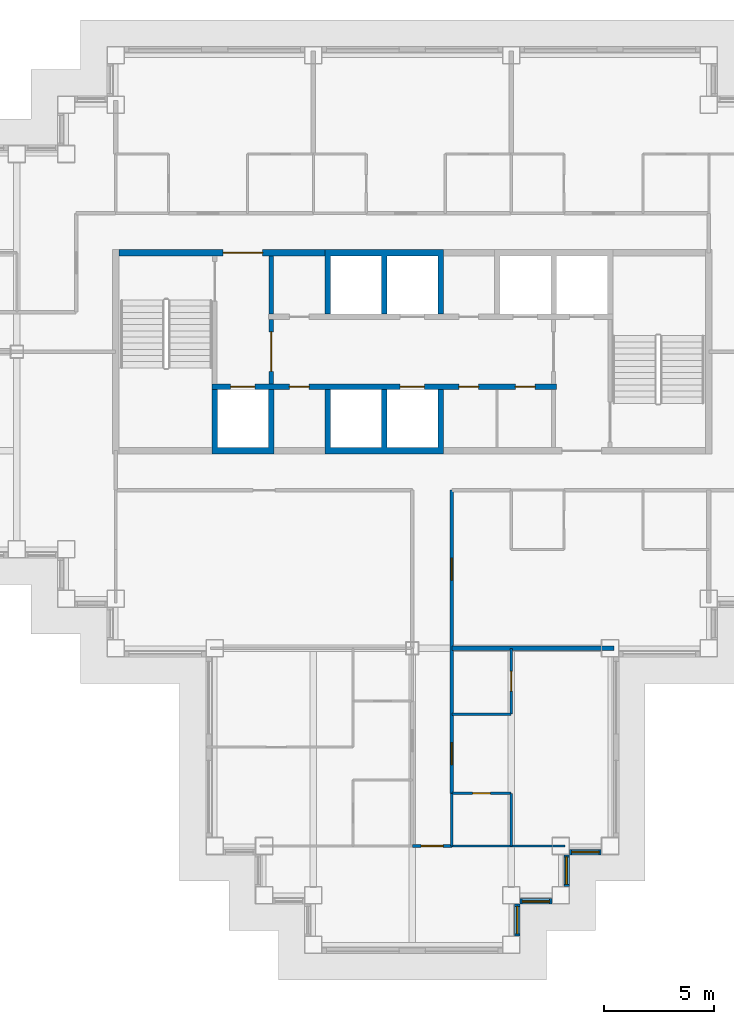
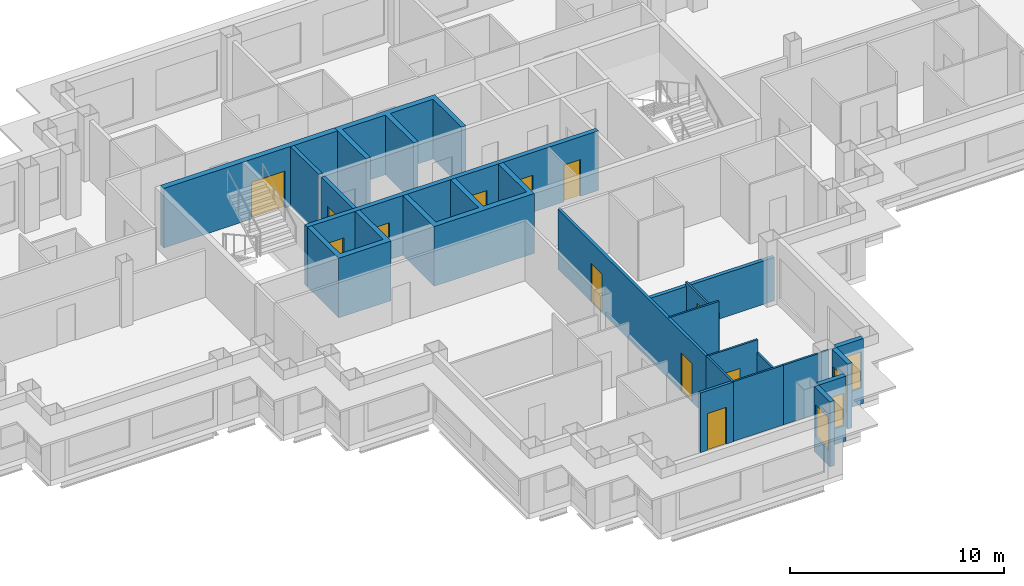
# One storey, part 5 of 13: 21 walls, 12 doors, 4 windows, 16 openings.
"""IFC4 building model written with IfcOpenShell, lengths in metres."""

from ifc_helpers import new_model, si_unit, direction, frame, frame_2d, origin, place, context, subcontext, project, spatial, polyline, rectangle, outline, extrude, material, layer, layer_set, type_object, element, fill, save


model = new_model("IFC4")

# Units and contexts
model_context = context("Model", 3, precision=1e-05, world=origin(), true_north=direction((0.0, 1.0)))
body_context = subcontext(model_context, "Body", "Model", "MODEL_VIEW")
ifc_project = project(units=[si_unit("LENGTHUNIT", "METRE"), si_unit("AREAUNIT", "SQUARE_METRE"), si_unit("VOLUMEUNIT", "CUBIC_METRE"), si_unit("PLANEANGLEUNIT", "RADIAN"), si_unit("MASSUNIT", "GRAM", prefix="KILO")], contexts=[model_context])

# Site, building, storey
site_placement = place(None, origin())
site = spatial("IfcSite", under=ifc_project, at=site_placement, CompositionType="ELEMENT")
building_placement = place(site_placement, origin())
building = spatial("IfcBuilding", under=site, at=building_placement, Name="Caravel Reach Hotel and Residences", CompositionType="ELEMENT")
storey_placement = place(building_placement, frame((0.0, 0.0, 158.0)))
storey = spatial("IfcBuildingStorey", under=building, at=storey_placement, Name="L39", CompositionType="ELEMENT", Elevation=158.0)

# Wall
ifc_material_1 = material(Name="Gypsum board on steel stud", Category="steel")
ifc_layer_1 = layer(ifc_material_1, 0.10009765625)
ifc_layer_set_1 = layer_set([ifc_layer_1], Name="Bathroom pod wall 100 mm")
wall_type_1 = type_object("IfcWallType", Name="Bathroom pod wall 100 mm", PredefinedType="PARTITIONING", material=ifc_layer_set_1)
wall_1_placement = place(storey_placement, frame((33.300048828125, 4.5, 0.0), z_axis=(0.0, 0.0, 1.0), x_axis=(1.0, 0.0, 0.0)))
element("IfcWall", 1, at=wall_1_placement, inside=storey, type_object=wall_type_1, Name="L39 wall w095", PredefinedType="PARTITIONING", context=body_context, shape_type="SweptSolid", body=[
    extrude(rectangle(XDim=2.699951171875, YDim=0.10009765625, at=frame_2d((1.35009765625, 0.0))), origin(), (0.0, 0.0, 1.0), 3.39990234375),
])

# Wall, opening, door
wall_2_placement = place(storey_placement, frame((33.300048828125, 6.89990234375, 0.0), z_axis=(0.0, 0.0, 1.0), x_axis=(1.0, 0.0, 0.0)))
wall_2 = element("IfcWall", 2, at=wall_2_placement, inside=storey, type_object=wall_type_1, Name="L39 wall w096", PredefinedType="PARTITIONING", context=body_context, shape_type="SweptSolid", body=[
    extrude(rectangle(XDim=2.699951171875, YDim=0.10009765625, at=frame_2d((1.35009765625, 0.0))), origin(), (0.0, 0.0, 1.0), 3.39990234375),
])
opening_1_placement = place(wall_2_placement, frame((0.949951171875, 0.0, 0.0)))
opening_1 = element("IfcOpeningElement", 3, at=opening_1_placement, cuts=wall_2, Name="Opening D39-044", PredefinedType="OPENING", context=body_context, shape_type="SweptSolid", body=[
    extrude(rectangle(XDim=0.800048828125, YDim=2.10009765625, at=frame_2d((0.39990234375, 1.050048828125))), frame((0.0, 0.06005859375, 0.0), z_axis=(0.0, -1.0, 0.0), x_axis=(1.0, 0.0, 0.0)), (0.0, 0.0, 1.0), 0.1201171875),
])
ifc_material_2 = material(Name="Timber and steel door leaf", Category="steel")
door_type_1 = type_object("IfcDoorType", Name="Bathroom door 800 x 2100", OperationType="SINGLE_SWING_LEFT", PredefinedType="DOOR", material=ifc_material_2)
door_1_placement = place(opening_1_placement, origin())
door_1 = element("IfcDoor", 4, at=door_1_placement, inside=storey, type_object=door_type_1, Name="door D39-044", OperationType="SINGLE_SWING_LEFT", OverallHeight=2.10009765625, OverallWidth=0.800048828125, PredefinedType="DOOR", context=body_context, shape_type="SweptSolid", body=[
    extrude(rectangle(XDim=0.800048828125, YDim=2.10009765625, at=frame_2d((0.39990234375, 1.050048828125))), frame((0.0, 0.02490234375, 0.0), z_axis=(0.0, -1.0, 0.0), x_axis=(1.0, 0.0, 0.0)), (0.0, 0.0, 1.0), 0.050048828125),
])
fill(opening_1, door_1)

# Walls
wall_3_placement = place(storey_placement, frame((33.300048828125, 4.5, 0.0), z_axis=(0.0, 0.0, 1.0), x_axis=(0.0, 1.0, 0.0)))
element("IfcWall", 5, at=wall_3_placement, inside=storey, type_object=wall_type_1, Name="L39 wall w104", PredefinedType="PARTITIONING", context=body_context, shape_type="SweptSolid", body=[
    extrude(rectangle(XDim=2.39990234375, YDim=0.10009765625, at=frame_2d((1.199951171875, 0.0))), origin(), (0.0, 0.0, 1.0), 3.39990234375),
])
wall_4_placement = place(storey_placement, frame((36.0, 4.5, 0.0), z_axis=(0.0, 0.0, 1.0), x_axis=(0.0, 1.0, 0.0)))
element("IfcWall", 6, at=wall_4_placement, inside=storey, type_object=wall_type_1, Name="L39 wall w106", PredefinedType="PARTITIONING", context=body_context, shape_type="SweptSolid", body=[
    extrude(rectangle(XDim=2.39990234375, YDim=0.10009765625, at=frame_2d((1.199951171875, 0.0))), origin(), (0.0, 0.0, 1.0), 2.679931640625),
])
ifc_material_3 = material(Name="Autoclaved aerated block wall")
ifc_layer_2 = layer(ifc_material_3, 0.199951171875)
ifc_layer_set_2 = layer_set([ifc_layer_2], Name="Compartment wall 200 mm EI 120")
wall_type_2 = type_object("IfcWallType", Name="Compartment wall 200 mm EI 120", PredefinedType="PARTITIONING", material=ifc_layer_set_2)
wall_5_placement = place(storey_placement, frame((25.071533203125, 28.72509765625, 0.0), z_axis=(0.0, 0.0, 1.0), x_axis=(0.0, 1.0, 0.0)))
element("IfcWall", 7, at=wall_5_placement, inside=storey, type_object=wall_type_2, Name="L39 store partition", PredefinedType="PARTITIONING", context=body_context, shape_type="SweptSolid", body=[
    extrude(rectangle(XDim=2.625, YDim=0.199951171875, at=frame_2d((1.3125, 0.0))), origin(), (0.0, 0.0, 1.0), 3.39990234375),
])

# Wall, opening, door
ifc_material_4 = material(Name="Concrete C60", Category="concrete")
ifc_layer_3 = layer(ifc_material_4, 0.300048828125)
ifc_layer_set_3 = layer_set([ifc_layer_3], Name="Core wall 300 mm EI 120")
wall_type_3 = type_object("IfcWallType", Name="Core wall 300 mm EI 120", PredefinedType="SHEAR", material=ifc_layer_set_3)
wall_6_placement = place(storey_placement, frame((18.14990234375, 31.5, 0.0), z_axis=(0.0, 0.0, 1.0), x_axis=(1.0, 0.0, 0.0)))
wall_6 = element("IfcWall", 8, at=wall_6_placement, inside=storey, type_object=wall_type_3, Name="L39 core wall N1", PredefinedType="SHEAR", context=body_context, shape_type="SweptSolid", body=[
    extrude(rectangle(XDim=9.367919921875, YDim=0.300048828125, at=frame_2d((4.68408203125, 0.0))), origin(), (0.0, 0.0, 1.0), 3.39990234375),
])
opening_2_placement = place(wall_6_placement, frame((4.735595703125, 0.0, 0.0)))
opening_2 = element("IfcOpeningElement", 9, at=opening_2_placement, cuts=wall_6, Name="Opening D39-015", PredefinedType="OPENING", context=body_context, shape_type="SweptSolid", body=[
    extrude(rectangle(XDim=1.800048828125, YDim=2.10009765625, at=frame_2d((0.89990234375, 1.050048828125))), frame((0.0, 0.159912109375, 0.0), z_axis=(0.0, -1.0, 0.0), x_axis=(1.0, 0.0, 0.0)), (0.0, 0.0, 1.0), 0.320068359375),
])
ifc_material_5 = material(Name="Steel fire door leaf", Category="steel")
door_type_2 = type_object("IfcDoorType", Name="Fire lobby door pair 1800 x 2100 EI 90", OperationType="DOUBLE_DOOR_SINGLE_SWING", PredefinedType="DOOR", material=ifc_material_5)
door_2_placement = place(opening_2_placement, origin())
door_2 = element("IfcDoor", 10, at=door_2_placement, inside=storey, type_object=door_type_2, Name="lobby N door pair to corridor", OperationType="DOUBLE_DOOR_SINGLE_SWING", OverallHeight=2.10009765625, OverallWidth=1.800048828125, PredefinedType="DOOR", context=body_context, shape_type="SweptSolid", body=[
    extrude(rectangle(XDim=1.800048828125, YDim=2.10009765625, at=frame_2d((0.89990234375, 1.050048828125))), frame((0.0, 0.02490234375, 0.0), z_axis=(0.0, -1.0, 0.0), x_axis=(1.0, 0.0, 0.0)), (0.0, 0.0, 1.0), 0.050048828125),
])
fill(opening_2, door_2)

ifc_material_6 = material(Name="Gypsum board on steel stud, fire-rated", Category="steel")
ifc_layer_4 = layer(ifc_material_6, 0.14990234375)
ifc_layer_set_4 = layer_set([ifc_layer_4], Name="Corridor wall 150 mm EI 60")
wall_type_4 = type_object("IfcWallType", Name="Corridor wall 150 mm EI 60", PredefinedType="PARTITIONING", material=ifc_layer_set_4)
wall_7_placement = place(storey_placement, frame((31.5, 4.5, 0.0), z_axis=(0.0, 0.0, 1.0), x_axis=(1.0, 0.0, 0.0)))
wall_7 = element("IfcWall", 11, at=wall_7_placement, inside=storey, type_object=wall_type_4, Name="L39 wall w021", PredefinedType="PARTITIONING", context=body_context, shape_type="SweptSolid", body=[
    extrude(rectangle(XDim=1.800048828125, YDim=0.14990234375, at=frame_2d((0.89990234375, 0.0))), origin(), (0.0, 0.0, 1.0), 3.39990234375),
])
opening_3_placement = place(wall_7_placement, frame((0.39990234375, 0.0, 0.0)))
opening_3 = element("IfcOpeningElement", 12, at=opening_3_placement, cuts=wall_7, Name="Opening D39-050", PredefinedType="OPENING", context=body_context, shape_type="SweptSolid", body=[
    extrude(rectangle(XDim=1.0, YDim=2.10009765625, at=frame_2d((0.5, 1.050048828125))), frame((0.0, 0.0849609375, 0.0), z_axis=(0.0, -1.0, 0.0), x_axis=(1.0, 0.0, 0.0)), (0.0, 0.0, 1.0), 0.169921875),
])
ifc_material_7 = material(Name="Steel fire door leaf", Category="steel")
door_type_3 = type_object("IfcDoorType", Name="Fire door 1000 x 2100 EI 60", OperationType="SINGLE_SWING_LEFT", PredefinedType="DOOR", material=ifc_material_7)
door_3_placement = place(opening_3_placement, origin())
door_3 = element("IfcDoor", 13, at=door_3_placement, inside=storey, type_object=door_type_3, Name="door D39-050", OperationType="SINGLE_SWING_LEFT", OverallHeight=2.10009765625, OverallWidth=1.0, PredefinedType="DOOR", context=body_context, shape_type="SweptSolid", body=[
    extrude(rectangle(XDim=1.0, YDim=2.10009765625, at=frame_2d((0.5, 1.050048828125))), frame((0.0, 0.02490234375, 0.0), z_axis=(0.0, -1.0, 0.0), x_axis=(1.0, 0.0, 0.0)), (0.0, 0.0, 1.0), 0.050048828125),
])
fill(opening_3, door_3)

# Wall, openings, doors
wall_8_placement = place(storey_placement, frame((33.300048828125, 6.89990234375, 0.0), z_axis=(0.0, 0.0, 1.0), x_axis=(0.0, 1.0, 0.0)))
wall_8 = element("IfcWall", 14, at=wall_8_placement, inside=storey, type_object=wall_type_4, Name="L39 wall w027", PredefinedType="PARTITIONING", context=body_context, shape_type="SweptSolid", body=[
    extrude(rectangle(XDim=13.799072265625, YDim=0.14990234375, at=frame_2d((6.8994140625, 0.0))), origin(), (0.0, 0.0, 1.0), 3.39990234375),
])
opening_4_placement = place(wall_8_placement, frame((9.69921875, 0.0, 0.0)))
opening_4 = element("IfcOpeningElement", 15, at=opening_4_placement, cuts=wall_8, Name="Opening D39-036", PredefinedType="OPENING", context=body_context, shape_type="SweptSolid", body=[
    extrude(rectangle(XDim=1.0, YDim=2.199951171875, at=frame_2d((0.5, 1.10009765625))), frame((0.0, 0.0849609375, 0.0), z_axis=(0.0, -1.0, 0.0), x_axis=(1.0, 0.0, 0.0)), (0.0, 0.0, 1.0), 0.169921875),
])
opening_5_placement = place(wall_8_placement, frame((1.300048828125, 0.0, 0.0)))
opening_5 = element("IfcOpeningElement", 16, at=opening_5_placement, cuts=wall_8, Name="Opening D39-043", PredefinedType="OPENING", context=body_context, shape_type="SweptSolid", body=[
    extrude(rectangle(XDim=1.0, YDim=2.199951171875, at=frame_2d((0.5, 1.10009765625))), frame((0.0, 0.0849609375, 0.0), z_axis=(0.0, -1.0, 0.0), x_axis=(1.0, 0.0, 0.0)), (0.0, 0.0, 1.0), 0.169921875),
])
ifc_material_8 = material(Name="Steel fire door leaf", Category="steel")
door_type_4 = type_object("IfcDoorType", Name="Flat entrance door 1000 x 2200 EI 60", OperationType="SINGLE_SWING_LEFT", PredefinedType="DOOR", material=ifc_material_8)
door_4_placement = place(opening_4_placement, origin())
door_4 = element("IfcDoor", 17, at=door_4_placement, inside=storey, type_object=door_type_4, Name="door D39-036", OperationType="SINGLE_SWING_RIGHT", OverallHeight=2.199951171875, OverallWidth=1.0, PredefinedType="DOOR", context=body_context, shape_type="SweptSolid", body=[
    extrude(rectangle(XDim=1.0, YDim=2.199951171875, at=frame_2d((0.5, 1.10009765625))), frame((0.0, 0.02490234375, 0.0), z_axis=(0.0, -1.0, 0.0), x_axis=(1.0, 0.0, 0.0)), (0.0, 0.0, 1.0), 0.050048828125),
])
fill(opening_4, door_4)
door_5_placement = place(opening_5_placement, origin())
door_5 = element("IfcDoor", 18, at=door_5_placement, inside=storey, type_object=door_type_4, Name="door D39-043", OperationType="SINGLE_SWING_LEFT", OverallHeight=2.199951171875, OverallWidth=1.0, PredefinedType="DOOR", context=body_context, shape_type="SweptSolid", body=[
    extrude(rectangle(XDim=1.0, YDim=2.199951171875, at=frame_2d((0.5, 1.10009765625))), frame((0.0, 0.02490234375, 0.0), z_axis=(0.0, -1.0, 0.0), x_axis=(1.0, 0.0, 0.0)), (0.0, 0.0, 1.0), 0.050048828125),
])
fill(opening_5, door_5)

# Wall, opening, window
ifc_material_9 = material(Name="Insulated rainscreen wall, aluminium cladding", Category="aluminium")
ifc_layer_5 = layer(ifc_material_9, 0.25)
ifc_layer_set_5 = layer_set([ifc_layer_5], Name="EW1 Tower rainscreen wall")
wall_type_5 = type_object("IfcWallType", Name="EW1 Tower rainscreen wall", PredefinedType="SOLIDWALL", material=ifc_layer_set_5)
wall_9_placement = place(storey_placement, frame((36.27490234375, 0.39990234375, 0.0), z_axis=(0.0, 0.0, 1.0), x_axis=(0.0, 1.0, 0.0)))
wall_9 = element("IfcWall", 19, at=wall_9_placement, inside=storey, type_object=wall_type_5, Name="External wall L39 E6.1", PredefinedType="SOLIDWALL", context=body_context, shape_type="SweptSolid", body=[
    extrude(rectangle(XDim=1.4501953125, YDim=0.25, at=frame_2d((0.72509765625, 0.0))), origin(), (0.0, 0.0, 1.0), 3.699951171875),
])
opening_6_placement = place(wall_9_placement, frame((0.10009765625, 0.0, 0.89990234375)))
opening_6 = element("IfcOpeningElement", 20, at=opening_6_placement, cuts=wall_9, Name="Opening WN13", PredefinedType="OPENING", context=body_context, shape_type="SweptSolid", body=[
    extrude(rectangle(XDim=1.25, YDim=1.85009765625, at=frame_2d((0.625, 0.925048828125))), frame((0.0, 0.135009765625, 0.0), z_axis=(0.0, -1.0, 0.0), x_axis=(1.0, 0.0, 0.0)), (0.0, 0.0, 1.0), 0.27001953125),
])
ifc_material_10 = material(Name="Dark low-e glazing in black aluminium frame", Category="aluminium")
window_type_1 = type_object("IfcWindowType", Name="Residence bedroom window 1250 x 1850", PartitioningType="SINGLE_PANEL", PredefinedType="WINDOW", material=ifc_material_10)
window_1_placement = place(opening_6_placement, origin())
window_1 = element("IfcWindow", 21, at=window_1_placement, inside=storey, type_object=window_type_1, Name="Window L39 E6.1.1", OverallHeight=1.85009765625, OverallWidth=1.25, PartitioningType="SINGLE_PANEL", PredefinedType="WINDOW", context=body_context, shape_type="SweptSolid", body=[
    extrude(rectangle(XDim=1.25, YDim=1.85009765625, at=frame_2d((0.625, 0.925048828125))), frame((0.0, 0.030029296875, 0.0), z_axis=(0.0, -1.0, 0.0), x_axis=(1.0, 0.0, 0.0)), (0.0, 0.0, 1.0), 0.06005859375),
])
fill(opening_6, window_1)

wall_10_placement = place(storey_placement, frame((36.39990234375, 1.97509765625, 0.0), z_axis=(0.0, 0.0, 1.0), x_axis=(1.0, 0.0, 0.0)))
wall_10 = element("IfcWall", 22, at=wall_10_placement, inside=storey, type_object=wall_type_5, Name="External wall L39 S7.1", PredefinedType="SOLIDWALL", context=body_context, shape_type="SweptSolid", body=[
    extrude(rectangle(XDim=1.4501953125, YDim=0.25, at=frame_2d((0.72509765625, 0.0))), origin(), (0.0, 0.0, 1.0), 3.699951171875),
])
opening_7_placement = place(wall_10_placement, frame((0.10009765625, 0.0, 0.89990234375)))
opening_7 = element("IfcOpeningElement", 23, at=opening_7_placement, cuts=wall_10, Name="Opening WN13", PredefinedType="OPENING", context=body_context, shape_type="SweptSolid", body=[
    extrude(rectangle(XDim=1.25, YDim=1.85009765625, at=frame_2d((0.625, 0.925048828125))), frame((0.0, 0.135009765625, 0.0), z_axis=(0.0, -1.0, 0.0), x_axis=(1.0, 0.0, 0.0)), (0.0, 0.0, 1.0), 0.27001953125),
])
window_2_placement = place(opening_7_placement, origin())
window_2 = element("IfcWindow", 24, at=window_2_placement, inside=storey, type_object=window_type_1, Name="Window L39 S7.1.1", OverallHeight=1.85009765625, OverallWidth=1.25, PartitioningType="SINGLE_PANEL", PredefinedType="WINDOW", context=body_context, shape_type="SweptSolid", body=[
    extrude(rectangle(XDim=1.25, YDim=1.85009765625, at=frame_2d((0.625, 0.925048828125))), frame((0.0, 0.030029296875, 0.0), z_axis=(0.0, -1.0, 0.0), x_axis=(1.0, 0.0, 0.0)), (0.0, 0.0, 1.0), 0.06005859375),
])
fill(opening_7, window_2)

wall_11_placement = place(storey_placement, frame((38.52490234375, 2.64990234375, 0.0), z_axis=(0.0, 0.0, 1.0), x_axis=(0.0, 1.0, 0.0)))
wall_11 = element("IfcWall", 25, at=wall_11_placement, inside=storey, type_object=wall_type_5, Name="External wall L39 E8.1", PredefinedType="SOLIDWALL", context=body_context, shape_type="SweptSolid", body=[
    extrude(rectangle(XDim=1.4501953125, YDim=0.25, at=frame_2d((0.72509765625, 0.0))), origin(), (0.0, 0.0, 1.0), 3.699951171875),
])
opening_8_placement = place(wall_11_placement, frame((0.10009765625, 0.0, 0.89990234375)))
opening_8 = element("IfcOpeningElement", 26, at=opening_8_placement, cuts=wall_11, Name="Opening WN13", PredefinedType="OPENING", context=body_context, shape_type="SweptSolid", body=[
    extrude(rectangle(XDim=1.25, YDim=1.85009765625, at=frame_2d((0.625, 0.925048828125))), frame((0.0, 0.135009765625, 0.0), z_axis=(0.0, -1.0, 0.0), x_axis=(1.0, 0.0, 0.0)), (0.0, 0.0, 1.0), 0.27001953125),
])
window_3_placement = place(opening_8_placement, origin())
window_3 = element("IfcWindow", 27, at=window_3_placement, inside=storey, type_object=window_type_1, Name="Window L39 E8.1.1", OverallHeight=1.85009765625, OverallWidth=1.25, PartitioningType="SINGLE_PANEL", PredefinedType="WINDOW", context=body_context, shape_type="SweptSolid", body=[
    extrude(rectangle(XDim=1.25, YDim=1.85009765625, at=frame_2d((0.625, 0.925048828125))), frame((0.0, 0.030029296875, 0.0), z_axis=(0.0, -1.0, 0.0), x_axis=(1.0, 0.0, 0.0)), (0.0, 0.0, 1.0), 0.06005859375),
])
fill(opening_8, window_3)

wall_12_placement = place(storey_placement, frame((38.64990234375, 4.22509765625, 0.0), z_axis=(0.0, 0.0, 1.0), x_axis=(1.0, 0.0, 0.0)))
wall_12 = element("IfcWall", 28, at=wall_12_placement, inside=storey, type_object=wall_type_5, Name="External wall L39 S9.1", PredefinedType="SOLIDWALL", context=body_context, shape_type="SweptSolid", body=[
    extrude(rectangle(XDim=1.4501953125, YDim=0.25, at=frame_2d((0.72509765625, 0.0))), origin(), (0.0, 0.0, 1.0), 3.699951171875),
])
opening_9_placement = place(wall_12_placement, frame((0.10009765625, 0.0, 0.89990234375)))
opening_9 = element("IfcOpeningElement", 29, at=opening_9_placement, cuts=wall_12, Name="Opening WN12", PredefinedType="OPENING", context=body_context, shape_type="SweptSolid", body=[
    extrude(rectangle(XDim=1.25, YDim=2.080078125, at=frame_2d((0.625, 1.0400390625))), frame((0.0, 0.135009765625, 0.0), z_axis=(0.0, -1.0, 0.0), x_axis=(1.0, 0.0, 0.0)), (0.0, 0.0, 1.0), 0.27001953125),
])
ifc_material_11 = material(Name="Dark low-e glazing in black aluminium frame", Category="aluminium")
window_type_2 = type_object("IfcWindowType", Name="Residence bedroom window 1250 x 2080", PartitioningType="SINGLE_PANEL", PredefinedType="WINDOW", material=ifc_material_11)
window_4_placement = place(opening_9_placement, origin())
window_4 = element("IfcWindow", 30, at=window_4_placement, inside=storey, type_object=window_type_2, Name="Window L39 S9.1.1", OverallHeight=2.080078125, OverallWidth=1.25, PartitioningType="SINGLE_PANEL", PredefinedType="WINDOW", context=body_context, shape_type="SweptSolid", body=[
    extrude(rectangle(XDim=1.25, YDim=2.080078125, at=frame_2d((0.625, 1.0400390625))), frame((0.0, 0.030029296875, 0.0), z_axis=(0.0, -1.0, 0.0), x_axis=(1.0, 0.0, 0.0)), (0.0, 0.0, 1.0), 0.06005859375),
])
fill(opening_9, window_4)

# Wall, opening, door
ifc_material_12 = material(Name="Autoclaved aerated block wall")
ifc_layer_6 = layer(ifc_material_12, 0.199951171875)
ifc_layer_set_6 = layer_set([ifc_layer_6], Name="Fire lobby wall 200 mm EI 120")
wall_type_6 = type_object("IfcWallType", Name="Fire lobby wall 200 mm EI 120", PredefinedType="PARTITIONING", material=ifc_layer_set_6)
wall_13_placement = place(storey_placement, frame((25.071533203125, 25.52490234375, 0.0), z_axis=(0.0, 0.0, 1.0), x_axis=(0.0, 1.0, 0.0)))
wall_13 = element("IfcWall", 31, at=wall_13_placement, inside=storey, type_object=wall_type_6, Name="L39 lobby W wall", PredefinedType="PARTITIONING", context=body_context, shape_type="SweptSolid", body=[
    extrude(rectangle(XDim=2.9501953125, YDim=0.199951171875, at=frame_2d((1.47509765625, 0.0))), origin(), (0.0, 0.0, 1.0), 3.39990234375),
])
opening_10_placement = place(wall_13_placement, frame((0.574951171875, 0.0, 0.0)))
opening_10 = element("IfcOpeningElement", 32, at=opening_10_placement, cuts=wall_13, Name="Opening D39-013", PredefinedType="OPENING", context=body_context, shape_type="SweptSolid", body=[
    extrude(rectangle(XDim=1.800048828125, YDim=2.10009765625, at=frame_2d((0.89990234375, 1.050048828125))), frame((0.0, 0.10986328125, 0.0), z_axis=(0.0, -1.0, 0.0), x_axis=(1.0, 0.0, 0.0)), (0.0, 0.0, 1.0), 0.219970703125),
])
door_6_placement = place(opening_10_placement, origin())
door_6 = element("IfcDoor", 33, at=door_6_placement, inside=storey, type_object=door_type_2, Name="lobby W door pair", OperationType="DOUBLE_DOOR_SINGLE_SWING", OverallHeight=2.10009765625, OverallWidth=1.800048828125, PredefinedType="DOOR", context=body_context, shape_type="SweptSolid", body=[
    extrude(rectangle(XDim=1.800048828125, YDim=2.10009765625, at=frame_2d((0.89990234375, 1.050048828125))), frame((0.0, 0.02490234375, 0.0), z_axis=(0.0, -1.0, 0.0), x_axis=(1.0, 0.0, 0.0)), (0.0, 0.0, 1.0), 0.050048828125),
])
fill(opening_10, door_6)

# Walls
ifc_material_13 = material(Name="Gypsum board on steel stud", Category="steel")
ifc_layer_7 = layer(ifc_material_13, 0.10009765625)
ifc_layer_set_7 = layer_set([ifc_layer_7], Name="Partition 100 mm")
wall_type_7 = type_object("IfcWallType", Name="Partition 100 mm", PredefinedType="PARTITIONING", material=ifc_layer_set_7)
wall_14_placement = place(storey_placement, frame((33.300048828125, 10.5, 0.0), z_axis=(0.0, 0.0, 1.0), x_axis=(1.0, 0.0, 0.0)))
element("IfcWall", 34, at=wall_14_placement, inside=storey, type_object=wall_type_7, Name="L39 wall w034", PredefinedType="PARTITIONING", context=body_context, shape_type="SweptSolid", body=[
    extrude(rectangle(XDim=2.699951171875, YDim=0.10009765625, at=frame_2d((1.35009765625, 0.0))), origin(), (0.0, 0.0, 1.0), 3.39990234375),
])
wall_15_placement = place(storey_placement, frame((36.0, 4.5, 0.0), z_axis=(0.0, 0.0, 1.0), x_axis=(1.0, 0.0, 0.0)))
element("IfcWall", 35, at=wall_15_placement, inside=storey, type_object=wall_type_7, Name="L39 wall w048", PredefinedType="PARTITIONING", context=body_context, shape_type="SweptSolid", body=[
    extrude(rectangle(XDim=2.43994140625, YDim=0.10009765625, at=frame_2d((1.219970703125, 0.0))), origin(), (0.0, 0.0, 1.0), 3.39990234375),
])

# Wall, opening, door
wall_16_placement = place(storey_placement, frame((36.0, 10.5, 0.0), z_axis=(0.0, 0.0, 1.0), x_axis=(0.0, 1.0, 0.0)))
wall_16 = element("IfcWall", 36, at=wall_16_placement, inside=storey, type_object=wall_type_7, Name="L39 wall w062", PredefinedType="PARTITIONING", context=body_context, shape_type="SweptSolid", body=[
    extrude(rectangle(XDim=3.0, YDim=0.10009765625, at=frame_2d((1.5, 0.0))), origin(), (0.0, 0.0, 1.0), 2.679931640625),
])
opening_11_placement = place(wall_16_placement, frame((1.050048828125, 0.0, 0.0)))
opening_11 = element("IfcOpeningElement", 37, at=opening_11_placement, cuts=wall_16, Name="Opening D39-045", PredefinedType="OPENING", context=body_context, shape_type="SweptSolid", body=[
    extrude(rectangle(XDim=0.89990234375, YDim=2.10009765625, at=frame_2d((0.449951171875, 1.050048828125))), frame((0.0, 0.06005859375, 0.0), z_axis=(0.0, -1.0, 0.0), x_axis=(1.0, 0.0, 0.0)), (0.0, 0.0, 1.0), 0.1201171875),
])
ifc_material_14 = material(Name="Timber and steel door leaf", Category="steel")
door_type_5 = type_object("IfcDoorType", Name="Door 900 x 2100 timber", OperationType="SINGLE_SWING_LEFT", PredefinedType="DOOR", material=ifc_material_14)
door_7_placement = place(opening_11_placement, origin())
door_7 = element("IfcDoor", 38, at=door_7_placement, inside=storey, type_object=door_type_5, Name="door D39-045", OperationType="SINGLE_SWING_RIGHT", OverallHeight=2.10009765625, OverallWidth=0.89990234375, PredefinedType="DOOR", context=body_context, shape_type="SweptSolid", body=[
    extrude(rectangle(XDim=0.89990234375, YDim=2.10009765625, at=frame_2d((0.449951171875, 1.050048828125))), frame((0.0, 0.02490234375, 0.0), z_axis=(0.0, -1.0, 0.0), x_axis=(1.0, 0.0, 0.0)), (0.0, 0.0, 1.0), 0.050048828125),
])
fill(opening_11, door_7)

# Walls
ifc_material_15 = material(Name="Autoclaved aerated block wall")
ifc_layer_8 = layer(ifc_material_15, 0.199951171875)
ifc_layer_set_8 = layer_set([ifc_layer_8], Name="Party wall 200 mm EI 60")
wall_type_8 = type_object("IfcWallType", Name="Party wall 200 mm EI 60", PredefinedType="PARTITIONING", material=ifc_layer_set_8)
wall_17_placement = place(storey_placement, frame((33.301025390625, 13.5, 0.0), z_axis=(0.0, 0.0, 1.0), x_axis=(1.0, 0.0, 0.0)))
element("IfcWall", 39, at=wall_17_placement, inside=storey, type_object=wall_type_8, Name="L39 wall w073", PredefinedType="PARTITIONING", context=body_context, shape_type="SweptSolid", body=[
    extrude(rectangle(XDim=7.388916015625, YDim=0.199951171875, at=frame_2d((3.6943359375, 0.0))), origin(), (0.0, 0.0, 1.0), 2.47998046875),
])
ifc_material_16 = material(Name="Concrete C60", Category="concrete")
ifc_layer_9 = layer(ifc_material_16, 0.25)
ifc_layer_set_9 = layer_set([ifc_layer_9], Name="Shaft wall 250 mm EI 120")
wall_type_9 = type_object("IfcWallType", Name="Shaft wall 250 mm EI 120", PredefinedType="SHEAR", material=ifc_layer_set_9)
wall_18_placement = place(storey_placement, origin())
element("IfcWall", 40, at=wall_18_placement, inside=storey, type_object=wall_type_9, Name="L39 lift shaft wall S1", PredefinedType="SHEAR", context=body_context, shape_type="SweptSolid", body=[
    extrude(outline(polyline([(22.375, 22.35009765625), (25.196533203125, 22.35009765625), (25.196533203125, 25.27490234375), (24.946533203125, 25.27490234375), (24.946533203125, 22.64990234375), (22.625, 22.64990234375), (22.625, 25.27490234375), (22.375, 25.27490234375), (22.375, 22.35009765625)])), origin(), (0.0, 0.0, 1.0), 3.39990234375),
])
wall_19_placement = place(storey_placement, origin())
element("IfcWall", 41, at=wall_19_placement, inside=storey, type_object=wall_type_9, Name="L39 lift shaft wall S2", PredefinedType="SHEAR", context=body_context, shape_type="SweptSolid", body=[
    extrude(outline(polyline([(27.517822265625, 22.35009765625), (32.91064453125, 22.35009765625), (32.91064453125, 25.27490234375), (32.66064453125, 25.27490234375), (32.66064453125, 22.64990234375), (30.33935546875, 22.64990234375), (30.33935546875, 25.27490234375), (30.08935546875, 25.27490234375), (30.08935546875, 22.64990234375), (27.767822265625, 22.64990234375), (27.767822265625, 25.27490234375), (27.517822265625, 25.27490234375), (27.517822265625, 22.35009765625)])), origin(), (0.0, 0.0, 1.0), 3.39990234375),
])
wall_20_placement = place(storey_placement, origin())
element("IfcWall", 42, at=wall_20_placement, inside=storey, type_object=wall_type_9, Name="L39 lift shaft wall N1", PredefinedType="SHEAR", context=body_context, shape_type="SweptSolid", body=[
    extrude(outline(polyline([(27.517822265625, 28.72509765625), (27.767822265625, 28.72509765625), (27.767822265625, 31.35009765625), (30.08935546875, 31.35009765625), (30.08935546875, 28.72509765625), (30.33935546875, 28.72509765625), (30.33935546875, 31.35009765625), (32.66064453125, 31.35009765625), (32.66064453125, 28.72509765625), (32.91064453125, 28.72509765625), (32.91064453125, 31.64990234375), (27.517822265625, 31.64990234375), (27.517822265625, 28.72509765625)])), origin(), (0.0, 0.0, 1.0), 3.39990234375),
])

# Wall, openings, doors
wall_21_placement = place(storey_placement, frame((22.375, 25.39990234375, 0.0), z_axis=(0.0, 0.0, 1.0), x_axis=(1.0, 0.0, 0.0)))
wall_21 = element("IfcWall", 43, at=wall_21_placement, inside=storey, type_object=wall_type_9, Name="L39 lobby wall S1", PredefinedType="SHEAR", context=body_context, shape_type="SweptSolid", body=[
    extrude(rectangle(XDim=15.678466796875, YDim=0.25, at=frame_2d((7.83935546875, 0.0))), origin(), (0.0, 0.0, 1.0), 3.39990234375),
])
opening_12_placement = place(wall_21_placement, frame((8.574951171875, 0.0, 0.0)))
opening_12 = element("IfcOpeningElement", 44, at=opening_12_placement, cuts=wall_21, Name="Opening D39-001", PredefinedType="OPENING", context=body_context, shape_type="SweptSolid", body=[
    extrude(rectangle(XDim=1.10009765625, YDim=2.10009765625, at=frame_2d((0.550048828125, 1.050048828125))), frame((0.0, 0.135009765625, 0.0), z_axis=(0.0, -1.0, 0.0), x_axis=(1.0, 0.0, 0.0)), (0.0, 0.0, 1.0), 0.27001953125),
])
opening_13_placement = place(wall_21_placement, frame((0.860595703125, 0.0, 0.0)))
opening_13 = element("IfcOpeningElement", 45, at=opening_13_placement, cuts=wall_21, Name="Opening D39-004", PredefinedType="OPENING", context=body_context, shape_type="SweptSolid", body=[
    extrude(rectangle(XDim=1.10009765625, YDim=2.10009765625, at=frame_2d((0.550048828125, 1.050048828125))), frame((0.0, 0.135009765625, 0.0), z_axis=(0.0, -1.0, 0.0), x_axis=(1.0, 0.0, 0.0)), (0.0, 0.0, 1.0), 0.27001953125),
])
opening_14_placement = place(wall_21_placement, frame((3.531982421875, 0.0, 0.0)))
opening_14 = element("IfcOpeningElement", 46, at=opening_14_placement, cuts=wall_21, Name="Opening D39-006", PredefinedType="OPENING", context=body_context, shape_type="SweptSolid", body=[
    extrude(rectangle(XDim=0.89990234375, YDim=2.10009765625, at=frame_2d((0.449951171875, 1.050048828125))), frame((0.0, 0.135009765625, 0.0), z_axis=(0.0, -1.0, 0.0), x_axis=(1.0, 0.0, 0.0)), (0.0, 0.0, 1.0), 0.27001953125),
])
opening_15_placement = place(wall_21_placement, frame((11.246337890625, 0.0, 0.0)))
opening_15 = element("IfcOpeningElement", 47, at=opening_15_placement, cuts=wall_21, Name="Opening D39-007", PredefinedType="OPENING", context=body_context, shape_type="SweptSolid", body=[
    extrude(rectangle(XDim=0.89990234375, YDim=2.10009765625, at=frame_2d((0.449951171875, 1.050048828125))), frame((0.0, 0.135009765625, 0.0), z_axis=(0.0, -1.0, 0.0), x_axis=(1.0, 0.0, 0.0)), (0.0, 0.0, 1.0), 0.27001953125),
])
opening_16_placement = place(wall_21_placement, frame((13.81787109375, 0.0, 0.0)))
opening_16 = element("IfcOpeningElement", 48, at=opening_16_placement, cuts=wall_21, Name="Opening D39-008", PredefinedType="OPENING", context=body_context, shape_type="SweptSolid", body=[
    extrude(rectangle(XDim=0.89990234375, YDim=2.10009765625, at=frame_2d((0.449951171875, 1.050048828125))), frame((0.0, 0.135009765625, 0.0), z_axis=(0.0, -1.0, 0.0), x_axis=(1.0, 0.0, 0.0)), (0.0, 0.0, 1.0), 0.27001953125),
])
ifc_material_17 = material(Name="Stainless steel landing door", Category="steel")
door_type_6 = type_object("IfcDoorType", Name="Landing door LD 1100 x 2100 sliding", OperationType="DOUBLE_DOOR_SLIDING", PredefinedType="DOOR", material=ifc_material_17)
door_8_placement = place(opening_12_placement, origin())
door_8 = element("IfcDoor", 49, at=door_8_placement, inside=storey, type_object=door_type_6, Name="MP1 landing door", OperationType="DOUBLE_DOOR_SLIDING", OverallHeight=2.10009765625, OverallWidth=1.10009765625, PredefinedType="DOOR", context=body_context, shape_type="SweptSolid", body=[
    extrude(rectangle(XDim=1.10009765625, YDim=2.10009765625, at=frame_2d((0.550048828125, 1.050048828125))), frame((0.0, 0.02490234375, 0.0), z_axis=(0.0, -1.0, 0.0), x_axis=(1.0, 0.0, 0.0)), (0.0, 0.0, 1.0), 0.050048828125),
])
fill(opening_12, door_8)
door_9_placement = place(opening_13_placement, origin())
door_9 = element("IfcDoor", 50, at=door_9_placement, inside=storey, type_object=door_type_6, Name="FL1 landing door", OperationType="DOUBLE_DOOR_SLIDING", OverallHeight=2.10009765625, OverallWidth=1.10009765625, PredefinedType="DOOR", context=body_context, shape_type="SweptSolid", body=[
    extrude(rectangle(XDim=1.10009765625, YDim=2.10009765625, at=frame_2d((0.550048828125, 1.050048828125))), frame((0.0, 0.02490234375, 0.0), z_axis=(0.0, -1.0, 0.0), x_axis=(1.0, 0.0, 0.0)), (0.0, 0.0, 1.0), 0.050048828125),
])
fill(opening_13, door_9)
ifc_material_18 = material(Name="Steel fire door leaf", Category="steel")
door_type_7 = type_object("IfcDoorType", Name="Riser door 900 x 2100 EI 60", OperationType="SINGLE_SWING_LEFT", PredefinedType="DOOR", material=ifc_material_18)
door_10_placement = place(opening_14_placement, origin())
door_10 = element("IfcDoor", 51, at=door_10_placement, inside=storey, type_object=door_type_7, Name="Linen store door", OperationType="SINGLE_SWING_LEFT", OverallHeight=2.10009765625, OverallWidth=0.89990234375, PredefinedType="DOOR", context=body_context, shape_type="SweptSolid", body=[
    extrude(rectangle(XDim=0.89990234375, YDim=2.10009765625, at=frame_2d((0.449951171875, 1.050048828125))), frame((0.0, 0.02490234375, 0.0), z_axis=(0.0, -1.0, 0.0), x_axis=(1.0, 0.0, 0.0)), (0.0, 0.0, 1.0), 0.050048828125),
])
fill(opening_14, door_10)
door_11_placement = place(opening_15_placement, origin())
door_11 = element("IfcDoor", 52, at=door_11_placement, inside=storey, type_object=door_type_7, Name="Cleaners' room door", OperationType="SINGLE_SWING_LEFT", OverallHeight=2.10009765625, OverallWidth=0.89990234375, PredefinedType="DOOR", context=body_context, shape_type="SweptSolid", body=[
    extrude(rectangle(XDim=0.89990234375, YDim=2.10009765625, at=frame_2d((0.449951171875, 1.050048828125))), frame((0.0, 0.02490234375, 0.0), z_axis=(0.0, -1.0, 0.0), x_axis=(1.0, 0.0, 0.0)), (0.0, 0.0, 1.0), 0.050048828125),
])
fill(opening_15, door_11)
door_12_placement = place(opening_16_placement, origin())
door_12 = element("IfcDoor", 53, at=door_12_placement, inside=storey, type_object=door_type_7, Name="Electrical riser room door", OperationType="SINGLE_SWING_LEFT", OverallHeight=2.10009765625, OverallWidth=0.89990234375, PredefinedType="DOOR", context=body_context, shape_type="SweptSolid", body=[
    extrude(rectangle(XDim=0.89990234375, YDim=2.10009765625, at=frame_2d((0.449951171875, 1.050048828125))), frame((0.0, 0.02490234375, 0.0), z_axis=(0.0, -1.0, 0.0), x_axis=(1.0, 0.0, 0.0)), (0.0, 0.0, 1.0), 0.050048828125),
])
fill(opening_16, door_12)

save(model, "model.ifc")
